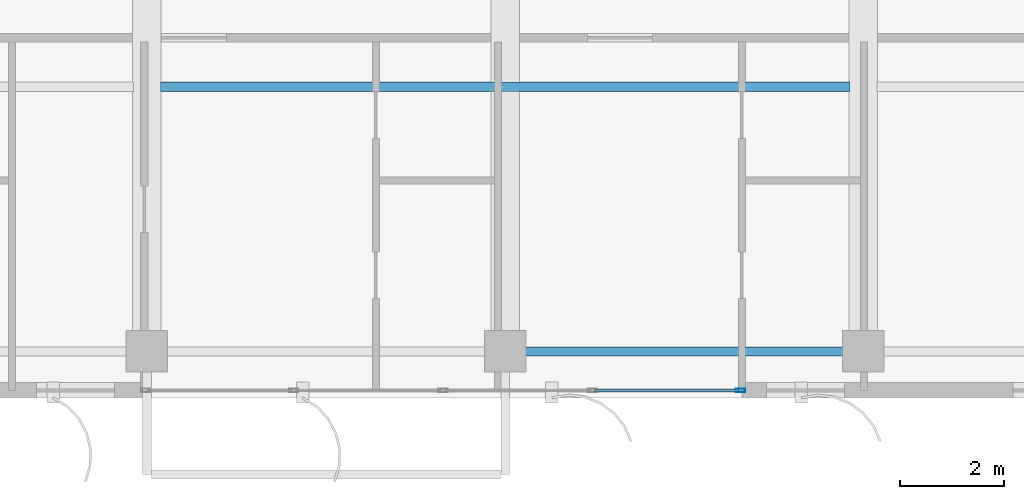
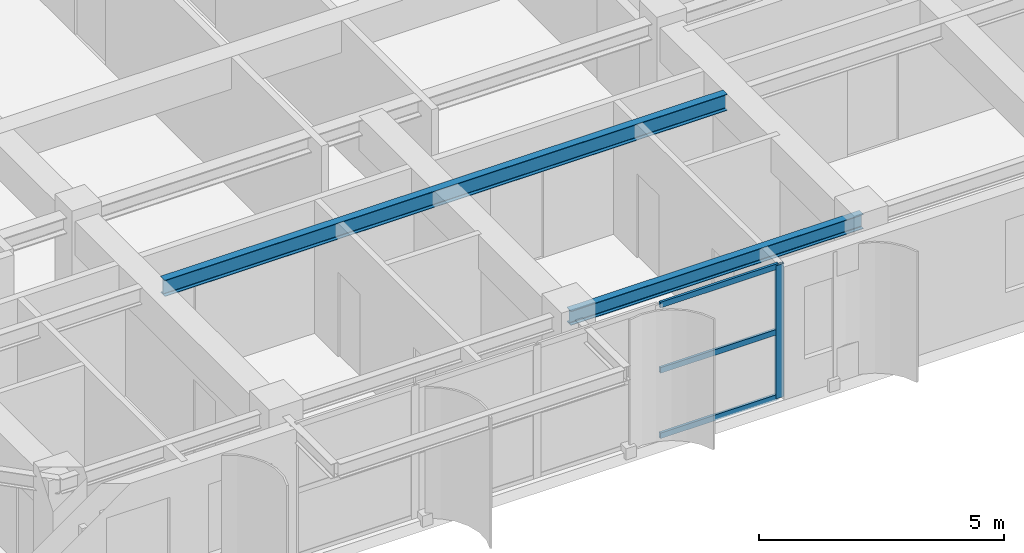
# One storey, part 6 of 23: 4 members, 2 beams, 1 element without a shape of its own.
"""IFC4 building model written with IfcOpenShell, lengths in metres."""

from ifc_helpers import new_model, si_unit, direction, frame, origin, origin_2d, place, context, subcontext, project, spatial, hollow_rectangle, i_section, extrude, source, transform, mapped, material, layer, layer_set, material_profile, profile_set, type_object, element, aggregate, save


model = new_model("IFC4")

# Units and contexts
model_context = context("Model", 3, precision=1e-05, world=origin(), true_north=direction((0.0, 1.0)))
body_context = subcontext(model_context, "Body", "Model", "MODEL_VIEW")
ifc_project = project(units=[si_unit("LENGTHUNIT", "METRE"), si_unit("AREAUNIT", "SQUARE_METRE"), si_unit("VOLUMEUNIT", "CUBIC_METRE"), si_unit("PLANEANGLEUNIT", "RADIAN"), si_unit("MASSUNIT", "GRAM", prefix="KILO")], contexts=[model_context])

# Site, building, storey
site_placement = place(None, origin())
site = spatial("IfcSite", under=ifc_project, at=site_placement, CompositionType="ELEMENT")
building_placement = place(site_placement, origin())
building = spatial("IfcBuilding", under=site, at=building_placement, Name="Khoralis Quay Care Tower", CompositionType="ELEMENT")
storey_placement = place(building_placement, frame((0.0, 0.0, 270.89990234375)))
storey = spatial("IfcBuildingStorey", under=building, at=storey_placement, Name="L71", CompositionType="ELEMENT", Elevation=270.89990234375)

# Beams
ifc_material_1 = material(Name="Steel S355", Category="steel")
ifc_material_profile_1 = material_profile(ifc_material_1, i_section(OverallWidth=0.169921875, OverallDepth=0.360107421875, WebThickness=0.008056640625, FlangeThickness=0.0126953125, FilletRadius=0.01806640625, at=origin_2d()), Name="Steel S355")
ifc_profile_set_1 = profile_set([ifc_material_profile_1], Name="Steel S355")
beam_type_1 = type_object("IfcBeamType", Name="BM-IPE360", PredefinedType="SPANDREL", material=ifc_profile_set_1)
shared_shape_1 = source(origin(), body_context, "Body", "SweptSolid", [
    extrude(i_section(OverallWidth=0.169921875, OverallDepth=0.360107421875, WebThickness=0.008056640625, FlangeThickness=0.0126953125, FilletRadius=0.01806640625, at=origin_2d()), origin(), (0.0, 0.0, 1.0), 6.89990234375),
])
beam_1_placement = place(storey_placement, frame((24.0, 3.89990234375, 3.14013671875), z_axis=(1.0, 0.0, 0.0), x_axis=(0.0, 1.0, 0.0)))
element("IfcBeam", 1, at=beam_1_placement, inside=storey, type_object=beam_type_1, Name="BM-TSP-L71-03", PredefinedType="SPANDREL", context=body_context, shape_type="MappedRepresentation", body=[
    mapped(shared_shape_1, transform((0.0, 0.0, 0.0), scale=1.0)),
])
ifc_material_profile_2 = material_profile(ifc_material_1, i_section(OverallWidth=0.177978515625, OverallDepth=0.406982421875, WebThickness=0.0078125, FlangeThickness=0.0126953125, FilletRadius=0.012939453125, at=origin_2d()), Name="Steel S355")
ifc_profile_set_2 = profile_set([ifc_material_profile_2], Name="Steel S355")
beam_type_2 = type_object("IfcBeamType", Name="BM-W410X60", PredefinedType="JOIST", material=ifc_profile_set_2)
shared_shape_2 = source(origin(), body_context, "Body", "SweptSolid", [
    extrude(i_section(OverallWidth=0.177978515625, OverallDepth=0.406982421875, WebThickness=0.0078125, FlangeThickness=0.0126953125, FilletRadius=0.012939453125, at=origin_2d()), origin(), (0.0, 0.0, 1.0), 13.27392578125),
])
beam_2_placement = place(storey_placement, frame((17.363037109375, 9.0, 3.11669921875), z_axis=(1.0, 0.0, 0.0), x_axis=(0.0, 1.0, 0.0)))
element("IfcBeam", 2, at=beam_2_placement, inside=storey, type_object=beam_type_2, Name="BM-TJS-L71-23", PredefinedType="JOIST", context=body_context, shape_type="MappedRepresentation", body=[
    mapped(shared_shape_2, transform((0.0, 0.0, 0.0), scale=1.0)),
])

# Curtain wall, members
ifc_material_2 = material(Name="Pale anodised aluminium", Category="aluminium")
ifc_layer = layer(ifc_material_2, 0.159912109375)
ifc_layer_set = layer_set([ifc_layer], Name="Pale anodised aluminium")
curtain_wall_type = type_object("IfcCurtainWallType", Name="CW-SYS-Z3", PredefinedType="NOTDEFINED", material=ifc_layer_set)
curtain_wall_placement = place(storey_placement, origin())
curtain_wall = element("IfcCurtainWall", 3, at=curtain_wall_placement, inside=storey, type_object=curtain_wall_type, Name="L71 Unitised Curtain Wall CW-L71-P1-E0", PredefinedType="NOTDEFINED")
ifc_material_profile_3 = material_profile(ifc_material_2, hollow_rectangle(XDim=0.06494140625, YDim=0.179931640625, WallThickness=0.00390625, at=origin_2d()), Name="Pale anodised aluminium")
ifc_profile_set_3 = profile_set([ifc_material_profile_3], Name="Pale anodised aluminium")
member_type_1 = type_object("IfcMemberType", Name="CW-MUL-180", PredefinedType="MULLION", material=ifc_profile_set_3)
shared_shape_3 = source(origin(), body_context, "Body", "SweptSolid", [
    extrude(hollow_rectangle(XDim=0.06494140625, YDim=0.179931640625, WallThickness=0.00390625, at=origin_2d()), origin(), (0.0, 0.0, 1.0), 3.320068359375),
])
member_1_placement = place(storey_placement, frame((28.530029296875, 3.14990234375, 0.0), z_axis=(0.0, 0.0, 1.0), x_axis=(0.0, 1.0, 0.0)))
member_1 = element("IfcMember", 4, at=member_1_placement, type_object=member_type_1, Name="CW3 mullion 5", PredefinedType="MULLION", context=body_context, shape_type="MappedRepresentation", body=[
    mapped(shared_shape_3, transform((0.0, 0.0, 0.0), scale=1.0)),
])
ifc_material_profile_4 = material_profile(ifc_material_2, hollow_rectangle(XDim=0.06005859375, YDim=0.139892578125, WallThickness=0.00390625, at=origin_2d()), Name="Pale anodised aluminium")
ifc_profile_set_4 = profile_set([ifc_material_profile_4], Name="Pale anodised aluminium")
member_type_2 = type_object("IfcMemberType", Name="CW-TRN-140", PredefinedType="USERDEFINED", material=ifc_profile_set_4)
shared_shape_4 = source(origin(), body_context, "Body", "SweptSolid", [
    extrude(hollow_rectangle(XDim=0.06005859375, YDim=0.139892578125, WallThickness=0.00390625, at=origin_2d()), origin(), (0.0, 0.0, 1.0), 2.78759765625),
])
member_2_placement = place(storey_placement, frame((25.71240234375, 3.14990234375, 0.030029296875), z_axis=(1.0, 0.0, 0.0), x_axis=(0.0, 1.0, 0.0)))
member_2 = element("IfcMember", 5, at=member_2_placement, type_object=member_type_2, Name="CW3 transom 4.1", ObjectType="TRANSOM", PredefinedType="USERDEFINED", context=body_context, shape_type="MappedRepresentation", body=[
    mapped(shared_shape_4, transform((0.0, 0.0, 0.0), scale=1.0)),
])
member_3_placement = place(storey_placement, frame((25.71240234375, 3.14990234375, 1.66015625), z_axis=(1.0, 0.0, 0.0), x_axis=(0.0, 1.0, 0.0)))
member_3 = element("IfcMember", 6, at=member_3_placement, type_object=member_type_2, Name="CW3 transom 4.2", ObjectType="TRANSOM", PredefinedType="USERDEFINED", context=body_context, shape_type="MappedRepresentation", body=[
    mapped(shared_shape_4, transform((0.0, 0.0, 0.0), scale=1.0)),
])
member_4_placement = place(storey_placement, frame((25.71240234375, 3.14990234375, 3.2900390625), z_axis=(1.0, 0.0, 0.0), x_axis=(0.0, 1.0, 0.0)))
member_4 = element("IfcMember", 7, at=member_4_placement, type_object=member_type_2, Name="CW3 transom 4.3", ObjectType="TRANSOM", PredefinedType="USERDEFINED", context=body_context, shape_type="MappedRepresentation", body=[
    mapped(shared_shape_4, transform((0.0, 0.0, 0.0), scale=1.0)),
])
aggregate(curtain_wall, [member_1, member_2, member_3, member_4])

save(model, "model.ifc")
